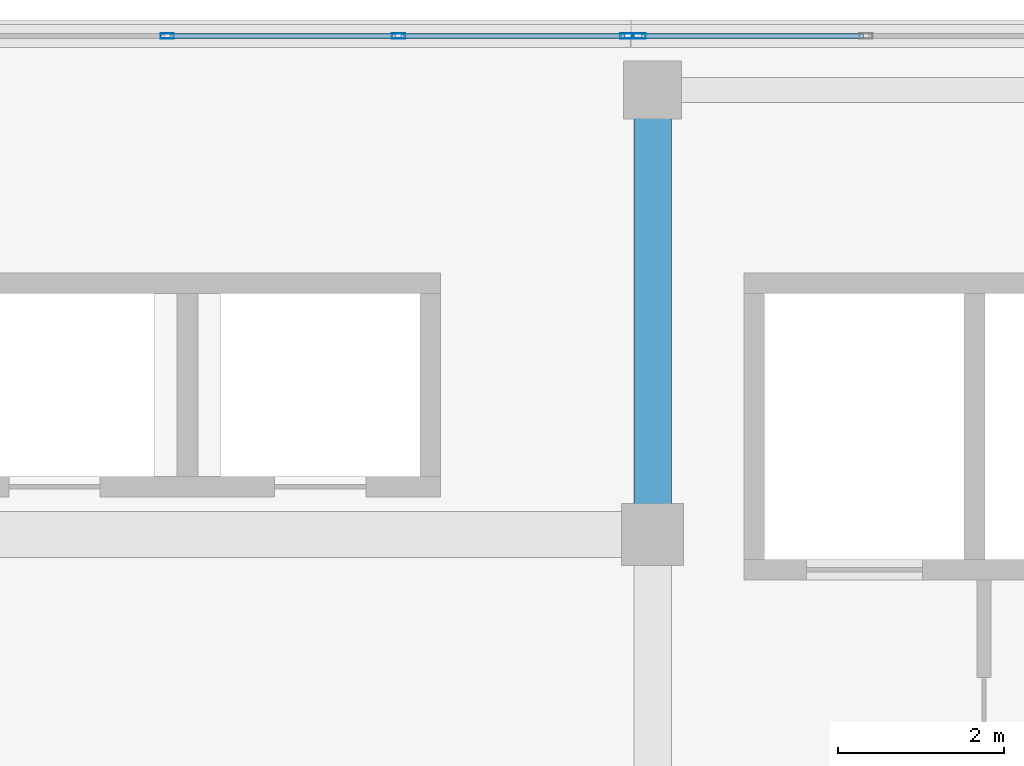
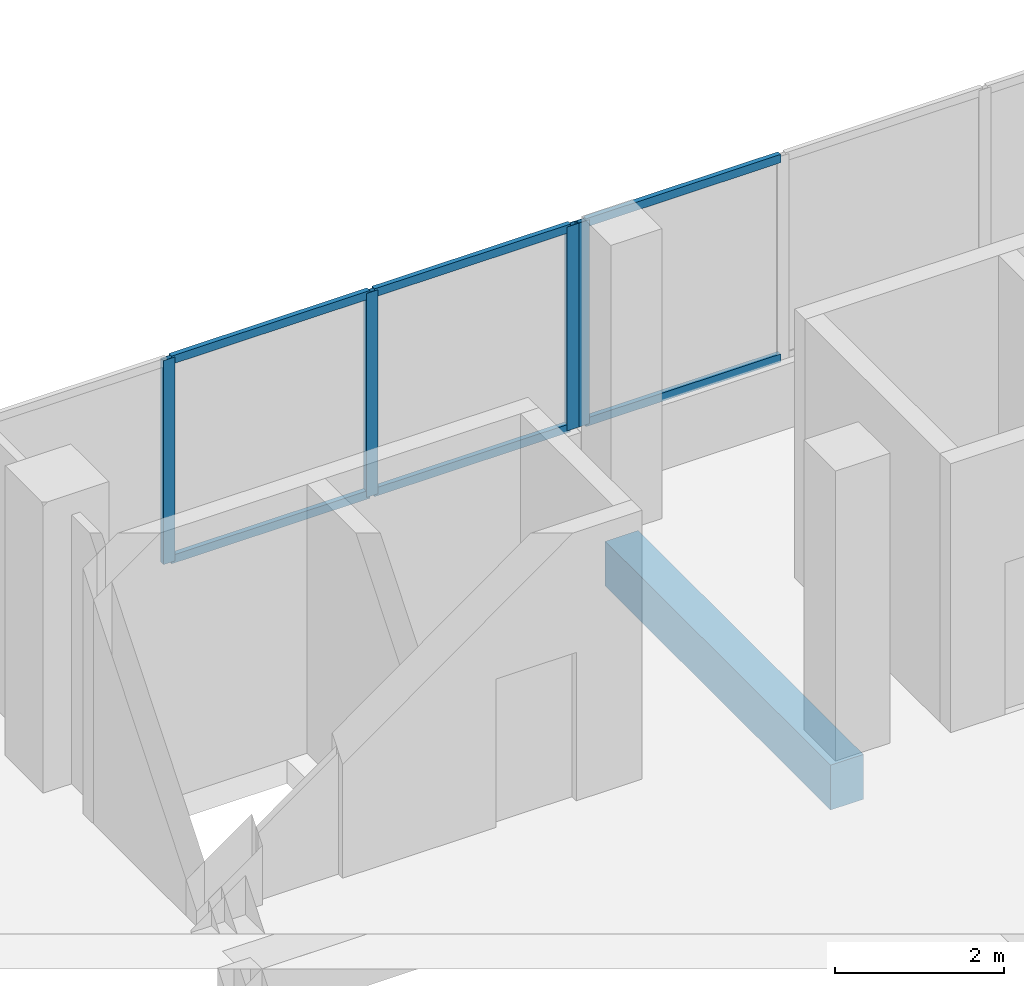
# One storey, part 117 of 184: 10 members, 1 beam, 2 elements without a shape of their own.
"""IFC4 building model written with IfcOpenShell, lengths in metres."""

from ifc_helpers import new_model, si_unit, direction, frame, origin, origin_2d, place, context, subcontext, project, spatial, rectangle, hollow_rectangle, extrude, material, material_profile, profile_set, type_object, element, aggregate, save


model = new_model("IFC4")

# Units and contexts
model_context = context("Model", 3, precision=1e-05, world=origin(), true_north=direction((0.0, 1.0)))
body_context = subcontext(model_context, "Body", "Model", "MODEL_VIEW")
ifc_project = project(units=[si_unit("LENGTHUNIT", "METRE"), si_unit("AREAUNIT", "SQUARE_METRE"), si_unit("VOLUMEUNIT", "CUBIC_METRE"), si_unit("PLANEANGLEUNIT", "RADIAN"), si_unit("MASSUNIT", "GRAM", prefix="KILO")], contexts=[model_context])

# Site, building, storey
site_placement = place(None, origin())
site = spatial("IfcSite", under=ifc_project, at=site_placement, CompositionType="ELEMENT")
building_placement = place(site_placement, origin())
building = spatial("IfcBuilding", under=site, at=building_placement, Name="Selatvlak General Hospital", CompositionType="ELEMENT")
storey_placement = place(building_placement, frame((0.0, 0.0, 15.0)))
storey = spatial("IfcBuildingStorey", under=building, at=storey_placement, Name="L03", CompositionType="ELEMENT", Elevation=15.0)

# Beam
ifc_material_1 = material(Name="Concrete C40/50", Category="concrete")
ifc_material_profile_1 = material_profile(ifc_material_1, rectangle(XDim=0.449951171875, YDim=0.64990234375, at=origin_2d()), Name="RC-BM 450x650")
ifc_profile_set_1 = profile_set([ifc_material_profile_1], Name="Concrete C40/50")
beam_type = type_object("IfcBeamType", Name="BM-G04", PredefinedType="BEAM", material=ifc_profile_set_1)
beam_placement = place(storey_placement, frame((123.60009765625, 114.0, -0.6650390625), z_axis=(0.0, 1.0, 0.0), x_axis=(-1.0, 0.0, 0.0)))
element("IfcBeam", 1, at=beam_placement, inside=storey, type_object=beam_type, Name="Beam BMR-L03-1367", PredefinedType="BEAM", context=body_context, shape_type="SweptSolid", body=[
    extrude(rectangle(XDim=0.449951171875, YDim=0.64990234375, at=origin_2d()), origin(), (0.0, 0.0, 1.0), 5.35009765625),
])

# Curtain wall, members
ifc_material_2 = material(Name="Solar-control Low-E double glazing", Category="glass")
curtain_wall_type_1 = type_object("IfcCurtainWallType", Name="CW-CW-01", PredefinedType="USERDEFINED", material=ifc_material_2)
curtain_wall_1_placement = place(storey_placement, origin())
curtain_wall_1 = element("IfcCurtainWall", 2, at=curtain_wall_1_placement, inside=storey, type_object=curtain_wall_type_1, Name="Glazed facade curtain wall CW-L03-0376", ObjectType="UNITISED CURTAIN WALL", PredefinedType="USERDEFINED")
ifc_material_3 = material(Name="Dark anodised aluminium mullion", Category="aluminium")
ifc_material_profile_2 = material_profile(ifc_material_3, hollow_rectangle(XDim=0.06494140625, YDim=0.159912109375, WallThickness=0.00390625, at=origin_2d()), Name="AL-MUL 65x160x4")
ifc_profile_set_2 = profile_set([ifc_material_profile_2], Name="Dark anodised aluminium mullion")
member_type_1 = type_object("IfcMemberType", Name="CWM-01", PredefinedType="MULLION", material=ifc_profile_set_2)
member_1_placement = place(storey_placement, frame((117.75732421875, 120.0, 0.93994140625), z_axis=(0.0, 0.0, 1.0), x_axis=(0.0, 1.0, 0.0)))
member_1 = element("IfcMember", 3, at=member_1_placement, type_object=member_type_1, Name="CW-01 mullion 2", PredefinedType="MULLION", context=body_context, shape_type="SweptSolid", body=[
    extrude(hollow_rectangle(XDim=0.06494140625, YDim=0.159912109375, WallThickness=0.00390625, at=origin_2d()), origin(), (0.0, 0.0, 1.0), 2.955078125),
])
member_2_placement = place(storey_placement, frame((120.540771484375, 120.0, 0.93994140625), z_axis=(0.0, 0.0, 1.0), x_axis=(0.0, 1.0, 0.0)))
member_2 = element("IfcMember", 4, at=member_2_placement, type_object=member_type_1, Name="CW-01 mullion 3", PredefinedType="MULLION", context=body_context, shape_type="SweptSolid", body=[
    extrude(hollow_rectangle(XDim=0.06494140625, YDim=0.159912109375, WallThickness=0.00390625, at=origin_2d()), origin(), (0.0, 0.0, 1.0), 2.955078125),
])
member_3_placement = place(storey_placement, frame((123.29150390625, 120.0, 0.93994140625), z_axis=(0.0, 0.0, 1.0), x_axis=(0.0, 1.0, 0.0)))
member_3 = element("IfcMember", 5, at=member_3_placement, type_object=member_type_1, Name="CW-01 mullion 4", PredefinedType="MULLION", context=body_context, shape_type="SweptSolid", body=[
    extrude(hollow_rectangle(XDim=0.06494140625, YDim=0.159912109375, WallThickness=0.00390625, at=origin_2d()), origin(), (0.0, 0.0, 1.0), 2.955078125),
])

# Curtain wall, member
curtain_wall_type_2 = type_object("IfcCurtainWallType", Name="CW-CW-02", PredefinedType="USERDEFINED", material=ifc_material_2)
curtain_wall_2_placement = place(storey_placement, origin())
curtain_wall_2 = element("IfcCurtainWall", 6, at=curtain_wall_2_placement, inside=storey, type_object=curtain_wall_type_2, Name="Glazed facade curtain wall CW-L03-0377", ObjectType="UNITISED CURTAIN WALL", PredefinedType="USERDEFINED")
member_4_placement = place(storey_placement, frame((123.4365234375, 120.0, 0.93994140625), z_axis=(0.0, 0.0, 1.0), x_axis=(0.0, 1.0, 0.0)))
member_4 = element("IfcMember", 7, at=member_4_placement, type_object=member_type_1, Name="CW-02 mullion 1", PredefinedType="MULLION", context=body_context, shape_type="SweptSolid", body=[
    extrude(hollow_rectangle(XDim=0.06494140625, YDim=0.159912109375, WallThickness=0.00390625, at=origin_2d()), origin(), (0.0, 0.0, 1.0), 2.955078125),
])

# Member
ifc_material_profile_3 = material_profile(ifc_material_3, hollow_rectangle(XDim=0.06494140625, YDim=0.1201171875, WallThickness=0.00390625, at=origin_2d()), Name="AL-TRN 65x120x4")
ifc_profile_set_3 = profile_set([ifc_material_profile_3], Name="Dark anodised aluminium mullion")
member_type_2 = type_object("IfcMemberType", Name="CWT-01", PredefinedType="USERDEFINED", material=ifc_profile_set_3)
member_5_placement = place(storey_placement, frame((117.789794921875, 120.0, 0.972412109375), z_axis=(1.0, 0.0, 0.0), x_axis=(0.0, 1.0, 0.0)))
member_5 = element("IfcMember", 8, at=member_5_placement, type_object=member_type_2, Name="CW-01 transom 2.1", ObjectType="TRANSOM", PredefinedType="USERDEFINED", context=body_context, shape_type="SweptSolid", body=[
    extrude(hollow_rectangle(XDim=0.06494140625, YDim=0.1201171875, WallThickness=0.00390625, at=origin_2d()), origin(), (0.0, 0.0, 1.0), 2.71826171875),
])

member_6_placement = place(storey_placement, frame((117.789794921875, 120.0, 3.862548828125), z_axis=(1.0, 0.0, 0.0), x_axis=(0.0, 1.0, 0.0)))
member_6 = element("IfcMember", 9, at=member_6_placement, type_object=member_type_2, Name="CW-01 transom 2.2", ObjectType="TRANSOM", PredefinedType="USERDEFINED", context=body_context, shape_type="SweptSolid", body=[
    extrude(hollow_rectangle(XDim=0.06494140625, YDim=0.1201171875, WallThickness=0.00390625, at=origin_2d()), origin(), (0.0, 0.0, 1.0), 2.71826171875),
])

member_7_placement = place(storey_placement, frame((120.5732421875, 120.0, 0.972412109375), z_axis=(1.0, 0.0, 0.0), x_axis=(0.0, 1.0, 0.0)))
member_7 = element("IfcMember", 10, at=member_7_placement, type_object=member_type_2, Name="CW-01 transom 3.1", ObjectType="TRANSOM", PredefinedType="USERDEFINED", context=body_context, shape_type="SweptSolid", body=[
    extrude(hollow_rectangle(XDim=0.06494140625, YDim=0.1201171875, WallThickness=0.00390625, at=origin_2d()), origin(), (0.0, 0.0, 1.0), 2.685791015625),
])

member_8_placement = place(storey_placement, frame((120.5732421875, 120.0, 3.862548828125), z_axis=(1.0, 0.0, 0.0), x_axis=(0.0, 1.0, 0.0)))
member_8 = element("IfcMember", 11, at=member_8_placement, type_object=member_type_2, Name="CW-01 transom 3.2", ObjectType="TRANSOM", PredefinedType="USERDEFINED", context=body_context, shape_type="SweptSolid", body=[
    extrude(hollow_rectangle(XDim=0.06494140625, YDim=0.1201171875, WallThickness=0.00390625, at=origin_2d()), origin(), (0.0, 0.0, 1.0), 2.685791015625),
])

aggregate(curtain_wall_1, [member_1, member_2, member_3, member_5, member_6, member_7, member_8])

member_9_placement = place(storey_placement, frame((123.468994140625, 120.0, 0.972412109375), z_axis=(1.0, 0.0, 0.0), x_axis=(0.0, 1.0, 0.0)))
member_9 = element("IfcMember", 12, at=member_9_placement, type_object=member_type_2, Name="CW-02 transom 1.1", ObjectType="TRANSOM", PredefinedType="USERDEFINED", context=body_context, shape_type="SweptSolid", body=[
    extrude(hollow_rectangle(XDim=0.06494140625, YDim=0.1201171875, WallThickness=0.00390625, at=origin_2d()), origin(), (0.0, 0.0, 1.0), 2.669189453125),
])

member_10_placement = place(storey_placement, frame((123.468994140625, 120.0, 3.862548828125), z_axis=(1.0, 0.0, 0.0), x_axis=(0.0, 1.0, 0.0)))
member_10 = element("IfcMember", 13, at=member_10_placement, type_object=member_type_2, Name="CW-02 transom 1.2", ObjectType="TRANSOM", PredefinedType="USERDEFINED", context=body_context, shape_type="SweptSolid", body=[
    extrude(hollow_rectangle(XDim=0.06494140625, YDim=0.1201171875, WallThickness=0.00390625, at=origin_2d()), origin(), (0.0, 0.0, 1.0), 2.669189453125),
])

aggregate(curtain_wall_2, [member_4, member_9, member_10])

save(model, "model.ifc")
